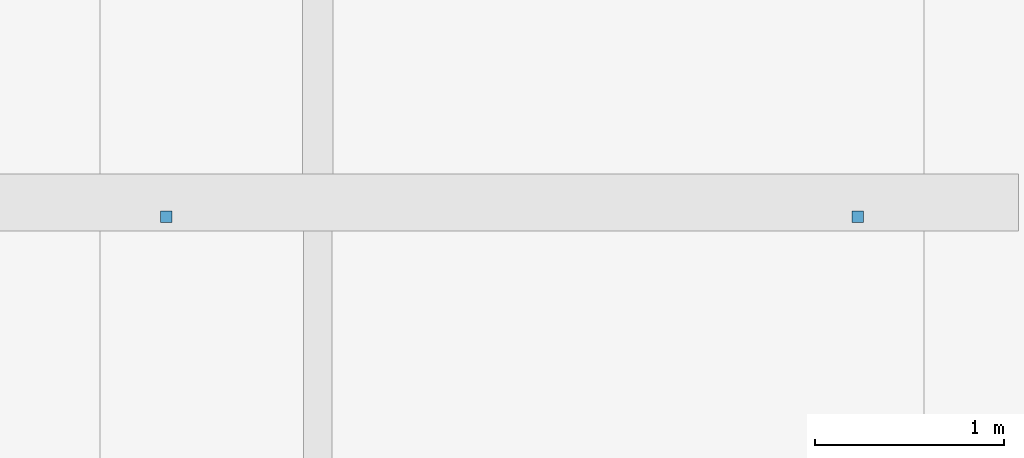
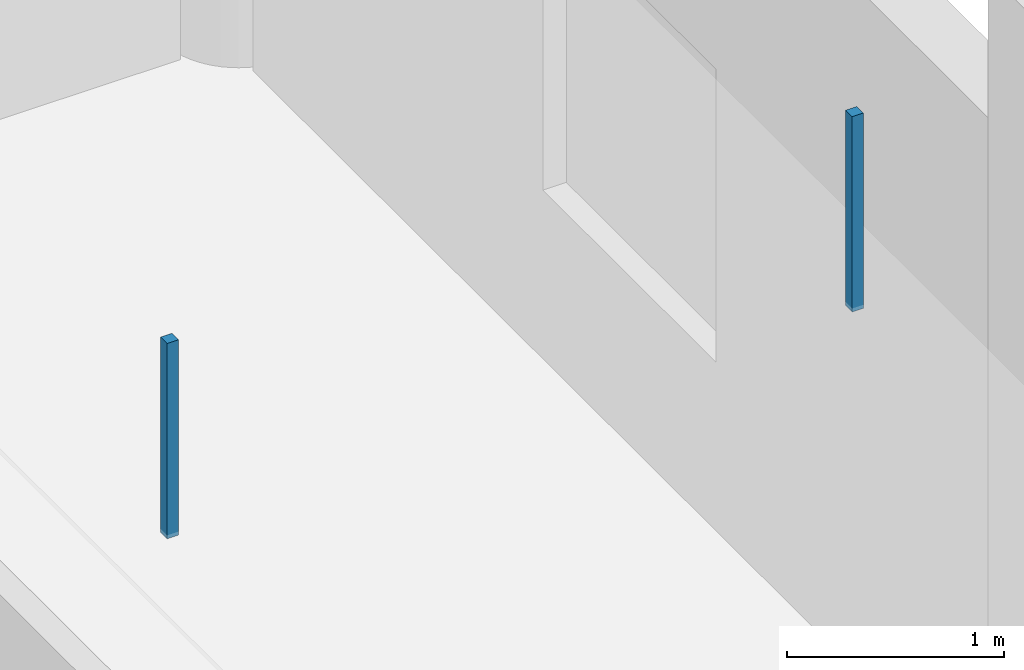
# One storey, part 111 of 147: 2 discrete accessories.
"""IFC4 building model written with IfcOpenShell, lengths in metres."""

import ifcopenshell
import ifcopenshell.guid

model = None  # the IFC model being written
_history = None  # IfcOwnerHistory: only IFC2X3 demands one
_inside = {}  # id of a spatial element -> (the spatial element, [elements in it])
_under = {}  # id of a project, library or spatial element -> (it, [spatial elements below it])
_declared = {}  # id of a project -> (the project, [libraries it declares])
_typed = {}  # id of a type object -> (the type object, [elements of that type])
_made_of = {}  # id of a material, layer set ... -> (it, [elements and type objects made of it])


def new_model(schema):
    """Start an empty IFC model of exactly this schema.

    Asked for "IFC4X3", IfcOpenShell would pick the latest addendum, in which some entities
    have other attributes; the version numbers below select the first issue.
    IFC2X3 requires an IfcOwnerHistory on every rooted entity: one is made here for all.
    """
    global model, _history
    if schema == "IFC4X3":
        model = ifcopenshell.file(schema_version=(4, 3, 0, 0))
    else:
        model = ifcopenshell.file(schema=schema)
    _inside.clear()
    _under.clear()
    _declared.clear()
    _typed.clear()
    _made_of.clear()
    _history = None
    if model.schema == "IFC2X3":
        org = make("IfcOrganization", Name="unknown")
        user = make(
            "IfcPersonAndOrganization",
            ThePerson=make("IfcPerson", FamilyName="unknown"),
            TheOrganization=org,
        )
        app = make(
            "IfcApplication",
            ApplicationDeveloper=org,
            Version="unknown",
            ApplicationFullName="unknown",
            ApplicationIdentifier="unknown",
        )
        _history = make(
            "IfcOwnerHistory",
            OwningUser=user,
            OwningApplication=app,
            ChangeAction="ADDED",
            CreationDate=0,
        )
    return model


def make(cls, **values):
    """One entity of the class cls with the attributes given. An attribute that is None is left unset."""
    return model.create_entity(
        cls, **{name: value for name, value in values.items() if value is not None}
    )


def rooted(cls, **values):
    """An entity with a GlobalId (a new one), such as an element, a storey or a relation."""
    return make(cls, GlobalId=ifcopenshell.guid.new(), OwnerHistory=_history, **values)


def si_unit(unit_type, name, prefix=None):
    """IfcSIUnit, for example si_unit("LENGTHUNIT", "METRE", prefix="MILLI")."""
    return make("IfcSIUnit", UnitType=unit_type, Prefix=prefix, Name=name)


def assignment(units):
    """IfcUnitAssignment: the units of a project."""
    return None if units is None else make("IfcUnitAssignment", Units=units)


def point(xyz):
    """IfcCartesianPoint."""
    return None if xyz is None else make("IfcCartesianPoint", Coordinates=xyz)


def direction(xyz):
    """IfcDirection."""
    return None if xyz is None else make("IfcDirection", DirectionRatios=xyz)


def frame(location, z_axis=None, x_axis=None):
    """IfcAxis2Placement3D, a coordinate frame: its origin and axes. An axis left out is left unset."""
    return make(
        "IfcAxis2Placement3D",
        Location=point(location),
        Axis=direction(z_axis),
        RefDirection=direction(x_axis),
    )


def frame_2d(location, x_axis=None):
    """IfcAxis2Placement2D, a coordinate frame in the plane: its origin and x axis."""
    return make(
        "IfcAxis2Placement2D", Location=point(location), RefDirection=direction(x_axis)
    )


def origin():
    """The frame at (0, 0, 0) with its axes left unset."""
    return frame((0.0, 0.0, 0.0))


def origin_2d():
    """The frame at (0, 0) in the plane with its x axis left unset."""
    return frame_2d((0.0, 0.0))


def place(relative_to, where):
    """IfcLocalPlacement: puts the frame where relative to a parent placement (None: the world)."""
    return make(
        "IfcLocalPlacement", PlacementRelTo=relative_to, RelativePlacement=where
    )


def context(
    kind, dimensions, precision=None, world=None, true_north=None, identifier=None
):
    """IfcGeometricRepresentationContext, for example the 3D "Model" context."""
    return make(
        "IfcGeometricRepresentationContext",
        ContextIdentifier=identifier,
        ContextType=kind,
        CoordinateSpaceDimension=dimensions,
        Precision=precision,
        WorldCoordinateSystem=world,
        TrueNorth=true_north,
    )


def subcontext(parent, identifier, kind, view, scale=None):
    """IfcGeometricRepresentationSubContext, for example "Body" below "Model"."""
    return make(
        "IfcGeometricRepresentationSubContext",
        ContextIdentifier=identifier,
        ContextType=kind,
        ParentContext=parent,
        TargetScale=scale,
        TargetView=view,
    )


def project(units=None, contexts=None):
    """IfcProject with its units and contexts."""
    return rooted(
        "IfcProject",
        Name="project",
        RepresentationContexts=contexts,
        UnitsInContext=assignment(units),
    )


def spatial(cls, under=None, at=None, **own):
    """A site, building, storey or space (cls), placed at a placement, below another one or the project."""
    s = rooted(cls, ObjectPlacement=at, **own)
    if under is not None:
        _under.setdefault(under.id(), (under, []))[1].append(s)
    return s


def profile(cls, at=None, kind="AREA", **sizes):
    """A parametric profile (cls). Its sizes go by their IFC names, for example OverallWidth=200.0."""
    return make(cls, ProfileType=kind, Position=at, **sizes)


def rectangle(**sizes):
    """IfcRectangleProfileDef."""
    return profile("IfcRectangleProfileDef", **sizes)


def extrude(swept, where, along, depth):
    """IfcExtrudedAreaSolid: the profile swept, set in the frame where, extruded along a direction by depth."""
    return make(
        "IfcExtrudedAreaSolid",
        SweptArea=swept,
        Position=where,
        ExtrudedDirection=direction(along),
        Depth=depth,
    )


def shape(context_of_items, identifier, shape_type, items):
    """IfcShapeRepresentation: the items that make up one representation, for example the "Body"."""
    return make(
        "IfcShapeRepresentation",
        ContextOfItems=context_of_items,
        RepresentationIdentifier=identifier,
        RepresentationType=shape_type,
        Items=items,
    )


def material(Name=None, Category=None):
    """IfcMaterial."""
    return make("IfcMaterial", Name=Name, Category=Category)


def made_of(thing, what):
    """Note that an element or type object is made of a material, layer set ...; save() writes the relation."""
    if what is not None:
        _made_of.setdefault(what.id(), (what, []))[1].append(thing)
    return thing


def type_object(cls, material=None, **own):
    """A type object (cls), such as IfcWallType, which elements share."""
    return made_of(rooted(cls, **own), material)


def element(
    cls,
    number,
    at=None,
    inside=None,
    cuts=None,
    type_object=None,
    material=None,
    context=None,
    identifier="Body",
    shape_type=None,
    held_by="IfcProductDefinitionShape",
    body=None,
    shapes=None,
    **own,
):
    """One element of the class cls, such as IfcWall. Its Tag is "e" and its number.

    at: its placement. inside: the storey or other place that contains it. cuts: it is an
    opening in that element (IfcRelVoidsElement). A single representation is given by context,
    identifier, shape_type and body (its items); several are given by shapes. held_by: the class
    of the entity that holds the representations. save() writes the other relations.
    """
    e = rooted(cls, Tag="e%d" % number, ObjectPlacement=at, **own)
    if body is not None:
        shapes = [shape(context, identifier, shape_type, body)]
    if shapes is not None:
        e.Representation = make(held_by, Representations=shapes)
    if inside is not None:
        _inside.setdefault(inside.id(), (inside, []))[1].append(e)
    if cuts is not None:
        rooted(
            "IfcRelVoidsElement", RelatingBuildingElement=cuts, RelatedOpeningElement=e
        )
    if type_object is not None:
        _typed.setdefault(type_object.id(), (type_object, []))[1].append(e)
    return made_of(e, material)


def aggregate(whole, parts):
    """IfcRelAggregates: a whole, such as a stair, and the parts it consists of."""
    return rooted("IfcRelAggregates", RelatingObject=whole, RelatedObjects=parts)


def save(model, path):
    """Write the relations noted so far, then the file.

    IfcRelAggregates (storeys below a building ...), IfcRelContainedInSpatialStructure (elements
    in a storey), IfcRelDefinesByType, IfcRelAssociatesMaterial and IfcRelDeclares: one each for
    every whole, place, type object, material and project.
    """
    for whole, parts in _under.values():
        aggregate(whole, parts)
    for where, things in _inside.values():
        rooted(
            "IfcRelContainedInSpatialStructure",
            RelatedElements=things,
            RelatingStructure=where,
        )
    for kind, things in _typed.values():
        rooted("IfcRelDefinesByType", RelatedObjects=things, RelatingType=kind)
    for what, things in _made_of.values():
        rooted("IfcRelAssociatesMaterial", RelatedObjects=things, RelatingMaterial=what)
    for by, libraries in _declared.values():
        rooted("IfcRelDeclares", RelatingContext=by, RelatedDefinitions=libraries)
    model.write(path)


model = new_model("IFC4")

# Units and contexts
model_context = context("Model", 3, precision=1e-05, world=origin(), true_north=direction((0.0, 1.0)))
body_context = subcontext(model_context, "Body", "Model", "MODEL_VIEW")
ifc_project = project(units=[si_unit("LENGTHUNIT", "METRE"), si_unit("AREAUNIT", "SQUARE_METRE"), si_unit("VOLUMEUNIT", "CUBIC_METRE"), si_unit("PLANEANGLEUNIT", "RADIAN"), si_unit("MASSUNIT", "GRAM", prefix="KILO")], contexts=[model_context])

# Site, building, storey
site_placement = place(None, origin())
site = spatial("IfcSite", under=ifc_project, at=site_placement, CompositionType="ELEMENT")
building_placement = place(site_placement, origin())
building = spatial("IfcBuilding", under=site, at=building_placement, Name="Khelvaren Railside Concert Hall", CompositionType="ELEMENT")
storey_placement = place(building_placement, frame((0.0, 0.0, 5.39990234375)))
storey = spatial("IfcBuildingStorey", under=building, at=storey_placement, Name="L01", CompositionType="ELEMENT", Elevation=5.39990234375)

# Discrete accessories
ifc_material = material(Name="Galvanised steel acoustic ceiling hanger rod", Category="steel")
discrete_accessory_type = type_object("IfcDiscreteAccessoryType", Name="BRK62", PredefinedType="BRACKET", material=ifc_material)
for number, where, z_axis, x_axis, name in (
    (1, (43.199951171875, 106.324951171875, 3.429931640625), (0.0, 0.0, 1.0), (1.0, 0.0, 0.0), "Acoustic Ceiling Suspension Bracket 113-1"),
    (2, (46.85009765625, 106.324951171875, 3.429931640625), (0.0, 0.0, 1.0), (1.0, 0.0, 0.0), "Acoustic Ceiling Suspension Bracket 113-2"),
):
    element("IfcDiscreteAccessory", number, at=place(storey_placement, frame(where, z_axis=z_axis, x_axis=x_axis)), inside=storey, type_object=discrete_accessory_type, Name=name, PredefinedType="BRACKET", context=body_context, shape_type="SweptSolid", body=[
        extrude(rectangle(XDim=0.06005859375, YDim=0.06005859375, at=origin_2d()), origin(), (0.0, 0.0, 1.0), 1.10009765625),
    ])

save(model, "model.ifc")
